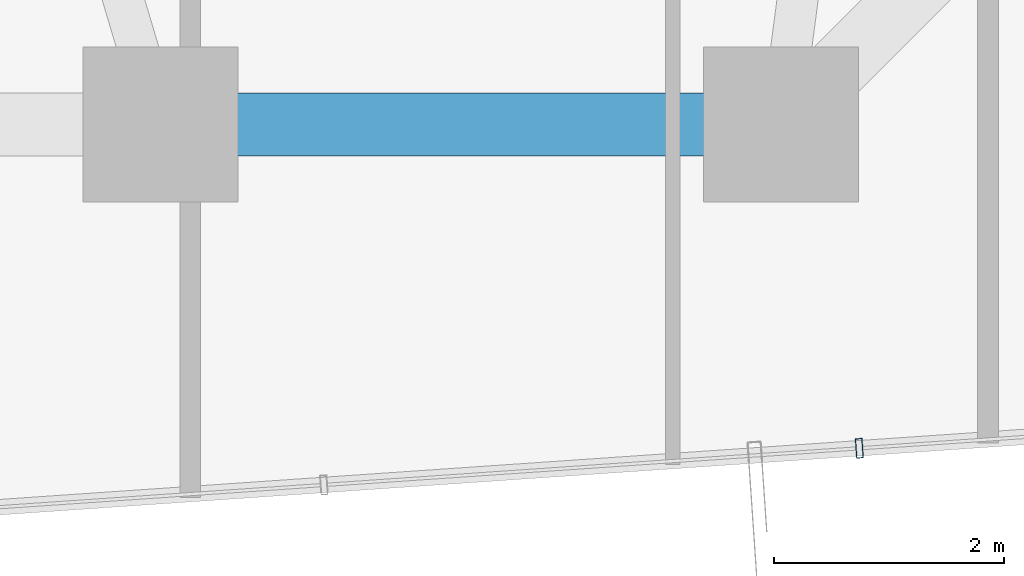
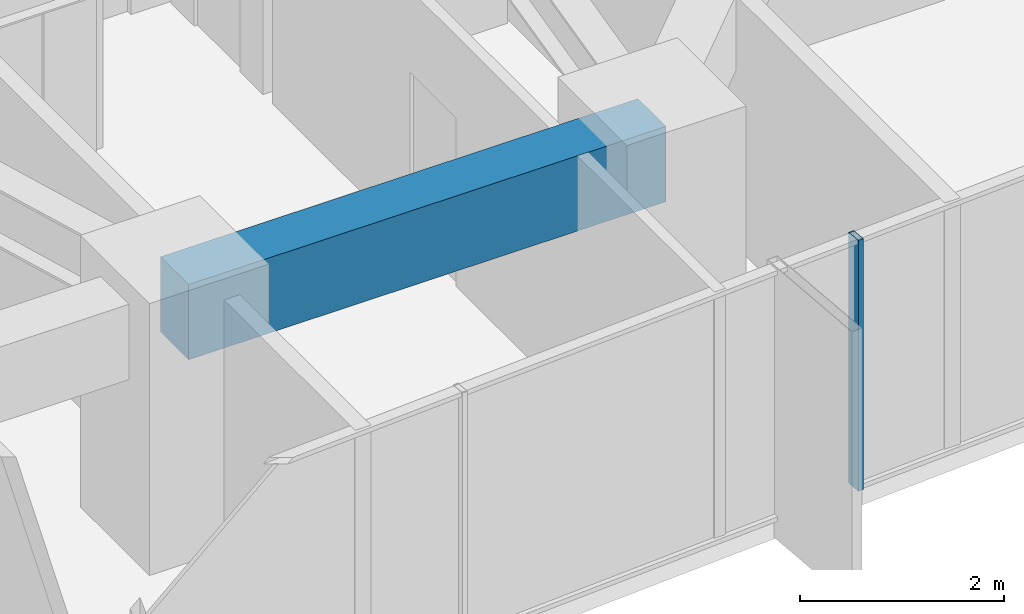
# One storey, part 8 of 37: 1 beam, 1 member, 1 element without a shape of its own.
"""IFC4 building model written with IfcOpenShell, lengths in metres."""

import ifcopenshell
import ifcopenshell.guid

model = None  # the IFC model being written
_history = None  # IfcOwnerHistory: only IFC2X3 demands one
_inside = {}  # id of a spatial element -> (the spatial element, [elements in it])
_under = {}  # id of a project, library or spatial element -> (it, [spatial elements below it])
_declared = {}  # id of a project -> (the project, [libraries it declares])
_typed = {}  # id of a type object -> (the type object, [elements of that type])
_made_of = {}  # id of a material, layer set ... -> (it, [elements and type objects made of it])


def new_model(schema):
    """Start an empty IFC model of exactly this schema.

    Asked for "IFC4X3", IfcOpenShell would pick the latest addendum, in which some entities
    have other attributes; the version numbers below select the first issue.
    IFC2X3 requires an IfcOwnerHistory on every rooted entity: one is made here for all.
    """
    global model, _history
    if schema == "IFC4X3":
        model = ifcopenshell.file(schema_version=(4, 3, 0, 0))
    else:
        model = ifcopenshell.file(schema=schema)
    _inside.clear()
    _under.clear()
    _declared.clear()
    _typed.clear()
    _made_of.clear()
    _history = None
    if model.schema == "IFC2X3":
        org = make("IfcOrganization", Name="unknown")
        user = make(
            "IfcPersonAndOrganization",
            ThePerson=make("IfcPerson", FamilyName="unknown"),
            TheOrganization=org,
        )
        app = make(
            "IfcApplication",
            ApplicationDeveloper=org,
            Version="unknown",
            ApplicationFullName="unknown",
            ApplicationIdentifier="unknown",
        )
        _history = make(
            "IfcOwnerHistory",
            OwningUser=user,
            OwningApplication=app,
            ChangeAction="ADDED",
            CreationDate=0,
        )
    return model


def make(cls, **values):
    """One entity of the class cls with the attributes given. An attribute that is None is left unset."""
    return model.create_entity(
        cls, **{name: value for name, value in values.items() if value is not None}
    )


def rooted(cls, **values):
    """An entity with a GlobalId (a new one), such as an element, a storey or a relation."""
    return make(cls, GlobalId=ifcopenshell.guid.new(), OwnerHistory=_history, **values)


def si_unit(unit_type, name, prefix=None):
    """IfcSIUnit, for example si_unit("LENGTHUNIT", "METRE", prefix="MILLI")."""
    return make("IfcSIUnit", UnitType=unit_type, Prefix=prefix, Name=name)


def assignment(units):
    """IfcUnitAssignment: the units of a project."""
    return None if units is None else make("IfcUnitAssignment", Units=units)


def point(xyz):
    """IfcCartesianPoint."""
    return None if xyz is None else make("IfcCartesianPoint", Coordinates=xyz)


def direction(xyz):
    """IfcDirection."""
    return None if xyz is None else make("IfcDirection", DirectionRatios=xyz)


def frame(location, z_axis=None, x_axis=None):
    """IfcAxis2Placement3D, a coordinate frame: its origin and axes. An axis left out is left unset."""
    return make(
        "IfcAxis2Placement3D",
        Location=point(location),
        Axis=direction(z_axis),
        RefDirection=direction(x_axis),
    )


def frame_2d(location, x_axis=None):
    """IfcAxis2Placement2D, a coordinate frame in the plane: its origin and x axis."""
    return make(
        "IfcAxis2Placement2D", Location=point(location), RefDirection=direction(x_axis)
    )


def origin():
    """The frame at (0, 0, 0) with its axes left unset."""
    return frame((0.0, 0.0, 0.0))


def origin_2d():
    """The frame at (0, 0) in the plane with its x axis left unset."""
    return frame_2d((0.0, 0.0))


def place(relative_to, where):
    """IfcLocalPlacement: puts the frame where relative to a parent placement (None: the world)."""
    return make(
        "IfcLocalPlacement", PlacementRelTo=relative_to, RelativePlacement=where
    )


def context(
    kind, dimensions, precision=None, world=None, true_north=None, identifier=None
):
    """IfcGeometricRepresentationContext, for example the 3D "Model" context."""
    return make(
        "IfcGeometricRepresentationContext",
        ContextIdentifier=identifier,
        ContextType=kind,
        CoordinateSpaceDimension=dimensions,
        Precision=precision,
        WorldCoordinateSystem=world,
        TrueNorth=true_north,
    )


def subcontext(parent, identifier, kind, view, scale=None):
    """IfcGeometricRepresentationSubContext, for example "Body" below "Model"."""
    return make(
        "IfcGeometricRepresentationSubContext",
        ContextIdentifier=identifier,
        ContextType=kind,
        ParentContext=parent,
        TargetScale=scale,
        TargetView=view,
    )


def project(units=None, contexts=None):
    """IfcProject with its units and contexts."""
    return rooted(
        "IfcProject",
        Name="project",
        RepresentationContexts=contexts,
        UnitsInContext=assignment(units),
    )


def spatial(cls, under=None, at=None, **own):
    """A site, building, storey or space (cls), placed at a placement, below another one or the project."""
    s = rooted(cls, ObjectPlacement=at, **own)
    if under is not None:
        _under.setdefault(under.id(), (under, []))[1].append(s)
    return s


def profile(cls, at=None, kind="AREA", **sizes):
    """A parametric profile (cls). Its sizes go by their IFC names, for example OverallWidth=200.0."""
    return make(cls, ProfileType=kind, Position=at, **sizes)


def rectangle(**sizes):
    """IfcRectangleProfileDef."""
    return profile("IfcRectangleProfileDef", **sizes)


def hollow_rectangle(**sizes):
    """IfcRectangleHollowProfileDef."""
    return profile("IfcRectangleHollowProfileDef", **sizes)


def extrude(swept, where, along, depth):
    """IfcExtrudedAreaSolid: the profile swept, set in the frame where, extruded along a direction by depth."""
    return make(
        "IfcExtrudedAreaSolid",
        SweptArea=swept,
        Position=where,
        ExtrudedDirection=direction(along),
        Depth=depth,
    )


def shape(context_of_items, identifier, shape_type, items):
    """IfcShapeRepresentation: the items that make up one representation, for example the "Body"."""
    return make(
        "IfcShapeRepresentation",
        ContextOfItems=context_of_items,
        RepresentationIdentifier=identifier,
        RepresentationType=shape_type,
        Items=items,
    )


def source(mapping_origin, context_of_items, identifier, shape_type, items):
    """IfcRepresentationMap: a shape defined once, which mapped items show again and again."""
    return make(
        "IfcRepresentationMap",
        MappingOrigin=mapping_origin,
        MappedRepresentation=shape(context_of_items, identifier, shape_type, items),
    )


def transform(
    local_origin,
    x_axis=None,
    y_axis=None,
    z_axis=None,
    scale=None,
    scale2=None,
    scale3=None,
    uniform=True,
):
    """IfcCartesianTransformationOperator3D, or its non-uniform kind. x_axis, y_axis, z_axis: its Axis1, 2, 3."""
    if uniform:
        return make(
            "IfcCartesianTransformationOperator3D",
            Axis1=direction(x_axis),
            Axis2=direction(y_axis),
            LocalOrigin=point(local_origin),
            Scale=scale,
            Axis3=direction(z_axis),
        )
    return make(
        "IfcCartesianTransformationOperator3DnonUniform",
        Axis1=direction(x_axis),
        Axis2=direction(y_axis),
        LocalOrigin=point(local_origin),
        Scale=scale,
        Axis3=direction(z_axis),
        Scale2=scale2,
        Scale3=scale3,
    )


def mapped(mapping_source, mapping_target):
    """IfcMappedItem: shows the shape of a source again, moved by a transform."""
    return make(
        "IfcMappedItem", MappingSource=mapping_source, MappingTarget=mapping_target
    )


def material(Name=None, Category=None):
    """IfcMaterial."""
    return make("IfcMaterial", Name=Name, Category=Category)


def layer(
    of_material, thickness, ventilated=None, Name=None, Category=None, Priority=None
):
    """IfcMaterialLayer: one layer of a wall or slab, of a material (None: an air gap)."""
    return make(
        "IfcMaterialLayer",
        Material=of_material,
        LayerThickness=thickness,
        IsVentilated=ventilated,
        Name=Name,
        Category=Category,
        Priority=Priority,
    )


def layer_set(layers, Name=None):
    """IfcMaterialLayerSet."""
    return make("IfcMaterialLayerSet", MaterialLayers=layers, LayerSetName=Name)


def material_profile(
    of_material, cross_section, Name=None, Category=None, Priority=None
):
    """IfcMaterialProfile: a cross section and its material."""
    return make(
        "IfcMaterialProfile",
        Name=Name,
        Material=of_material,
        Profile=cross_section,
        Priority=Priority,
        Category=Category,
    )


def profile_set(profiles, Name=None, composite=None):
    """IfcMaterialProfileSet."""
    return make(
        "IfcMaterialProfileSet",
        Name=Name,
        MaterialProfiles=profiles,
        CompositeProfile=composite,
    )


def made_of(thing, what):
    """Note that an element or type object is made of a material, layer set ...; save() writes the relation."""
    if what is not None:
        _made_of.setdefault(what.id(), (what, []))[1].append(thing)
    return thing


def type_object(cls, material=None, **own):
    """A type object (cls), such as IfcWallType, which elements share."""
    return made_of(rooted(cls, **own), material)


def element(
    cls,
    number,
    at=None,
    inside=None,
    cuts=None,
    type_object=None,
    material=None,
    context=None,
    identifier="Body",
    shape_type=None,
    held_by="IfcProductDefinitionShape",
    body=None,
    shapes=None,
    **own,
):
    """One element of the class cls, such as IfcWall. Its Tag is "e" and its number.

    at: its placement. inside: the storey or other place that contains it. cuts: it is an
    opening in that element (IfcRelVoidsElement). A single representation is given by context,
    identifier, shape_type and body (its items); several are given by shapes. held_by: the class
    of the entity that holds the representations. save() writes the other relations.
    """
    e = rooted(cls, Tag="e%d" % number, ObjectPlacement=at, **own)
    if body is not None:
        shapes = [shape(context, identifier, shape_type, body)]
    if shapes is not None:
        e.Representation = make(held_by, Representations=shapes)
    if inside is not None:
        _inside.setdefault(inside.id(), (inside, []))[1].append(e)
    if cuts is not None:
        rooted(
            "IfcRelVoidsElement", RelatingBuildingElement=cuts, RelatedOpeningElement=e
        )
    if type_object is not None:
        _typed.setdefault(type_object.id(), (type_object, []))[1].append(e)
    return made_of(e, material)


def aggregate(whole, parts):
    """IfcRelAggregates: a whole, such as a stair, and the parts it consists of."""
    return rooted("IfcRelAggregates", RelatingObject=whole, RelatedObjects=parts)


def save(model, path):
    """Write the relations noted so far, then the file.

    IfcRelAggregates (storeys below a building ...), IfcRelContainedInSpatialStructure (elements
    in a storey), IfcRelDefinesByType, IfcRelAssociatesMaterial and IfcRelDeclares: one each for
    every whole, place, type object, material and project.
    """
    for whole, parts in _under.values():
        aggregate(whole, parts)
    for where, things in _inside.values():
        rooted(
            "IfcRelContainedInSpatialStructure",
            RelatedElements=things,
            RelatingStructure=where,
        )
    for kind, things in _typed.values():
        rooted("IfcRelDefinesByType", RelatedObjects=things, RelatingType=kind)
    for what, things in _made_of.values():
        rooted("IfcRelAssociatesMaterial", RelatedObjects=things, RelatingMaterial=what)
    for by, libraries in _declared.values():
        rooted("IfcRelDeclares", RelatingContext=by, RelatedDefinitions=libraries)
    model.write(path)


model = new_model("IFC4")

# Units and contexts
model_context = context("Model", 3, precision=1e-05, world=origin(), true_north=direction((0.0, 1.0)))
body_context = subcontext(model_context, "Body", "Model", "MODEL_VIEW")
ifc_project = project(units=[si_unit("LENGTHUNIT", "METRE"), si_unit("AREAUNIT", "SQUARE_METRE"), si_unit("VOLUMEUNIT", "CUBIC_METRE"), si_unit("PLANEANGLEUNIT", "RADIAN"), si_unit("MASSUNIT", "GRAM", prefix="KILO")], contexts=[model_context])

# Site, building, storey
site_placement = place(None, origin())
site = spatial("IfcSite", under=ifc_project, at=site_placement, CompositionType="ELEMENT")
building_placement = place(site_placement, origin())
building = spatial("IfcBuilding", under=site, at=building_placement, Name="Veraguas Prism Commons", CompositionType="ELEMENT")
storey_placement = place(building_placement, frame((0.0, 0.0, 37.050048828125)))
storey = spatial("IfcBuildingStorey", under=building, at=storey_placement, Name="L09", CompositionType="ELEMENT", Elevation=37.050048828125)

# Beam
ifc_material_1 = material(Name="Concrete C50/60", Category="concrete")
ifc_material_profile_1 = material_profile(ifc_material_1, rectangle(XDim=0.550048828125, YDim=0.89990234375, at=origin_2d()), Name="RC550X900")
ifc_profile_set_1 = profile_set([ifc_material_profile_1], Name="Concrete C50/60")
beam_type = type_object("IfcBeamType", Name="Perimeter Spandrel Lower RC 550x900", PredefinedType="SPANDREL", material=ifc_profile_set_1)
beam_placement = place(storey_placement, frame((24.0, 6.39990234375, 2.550048828125), z_axis=(1.0, 0.0, 0.0), x_axis=(0.0, 1.0, 0.0)))
element("IfcBeam", 1, at=beam_placement, inside=storey, type_object=beam_type, Name="Perimeter Spandrel Beam L09-SP11", PredefinedType="SPANDREL", context=body_context, shape_type="SweptSolid", body=[
    extrude(rectangle(XDim=0.550048828125, YDim=0.89990234375, at=origin_2d()), origin(), (0.0, 0.0, 1.0), 5.39990234375),
])

# Curtain wall, member
ifc_material_2 = material(Name="Anodised aluminium EN AW-6063 T6", Category="aluminium")
ifc_layer = layer(ifc_material_2, 0.169921875, Name="Unitised Flush Curtain Wall Zone 1", Category="aluminium")
ifc_layer_set = layer_set([ifc_layer], Name="Anodised aluminium EN AW-6063 T6")
curtain_wall_type = type_object("IfcCurtainWallType", Name="Unitised Flush Curtain Wall Zone 1", PredefinedType="NOTDEFINED", material=ifc_layer_set)
curtain_wall_placement = place(storey_placement, origin())
curtain_wall = element("IfcCurtainWall", 2, at=curtain_wall_placement, inside=storey, type_object=curtain_wall_type, Name="Tower Facade Curtain Wall L09-F5", PredefinedType="NOTDEFINED")
ifc_material_profile_2 = material_profile(ifc_material_2, hollow_rectangle(XDim=0.06005859375, YDim=0.169921875, WallThickness=0.00390625, at=origin_2d()), Name="AL60X170X4")
ifc_profile_set_2 = profile_set([ifc_material_profile_2], Name="Anodised aluminium EN AW-6063 T6")
member_type = type_object("IfcMemberType", Name="Curtain Wall Mullion Lower AL 60x170x4", PredefinedType="MULLION", material=ifc_profile_set_2)
shared_shape = source(origin(), body_context, "Body", "SweptSolid", [
    extrude(hollow_rectangle(XDim=0.06005859375, YDim=0.169921875, WallThickness=0.00390625, at=origin_2d()), origin(), (0.0, 0.0, 1.0), 3.0),
])
member_placement = place(storey_placement, frame((30.080810546875, 3.58349609375, 0.0), z_axis=(0.0, 0.0, 1.0), x_axis=(0.997660476238, 0.068363544026, 0.0)))
member = element("IfcMember", 3, at=member_placement, type_object=member_type, Name="CW-Z1 Mullion 4", PredefinedType="MULLION", context=body_context, shape_type="MappedRepresentation", body=[
    mapped(shared_shape, transform((0.0, 0.0, 0.0), scale=1.0)),
])
aggregate(curtain_wall, [member])

save(model, "model.ifc")
